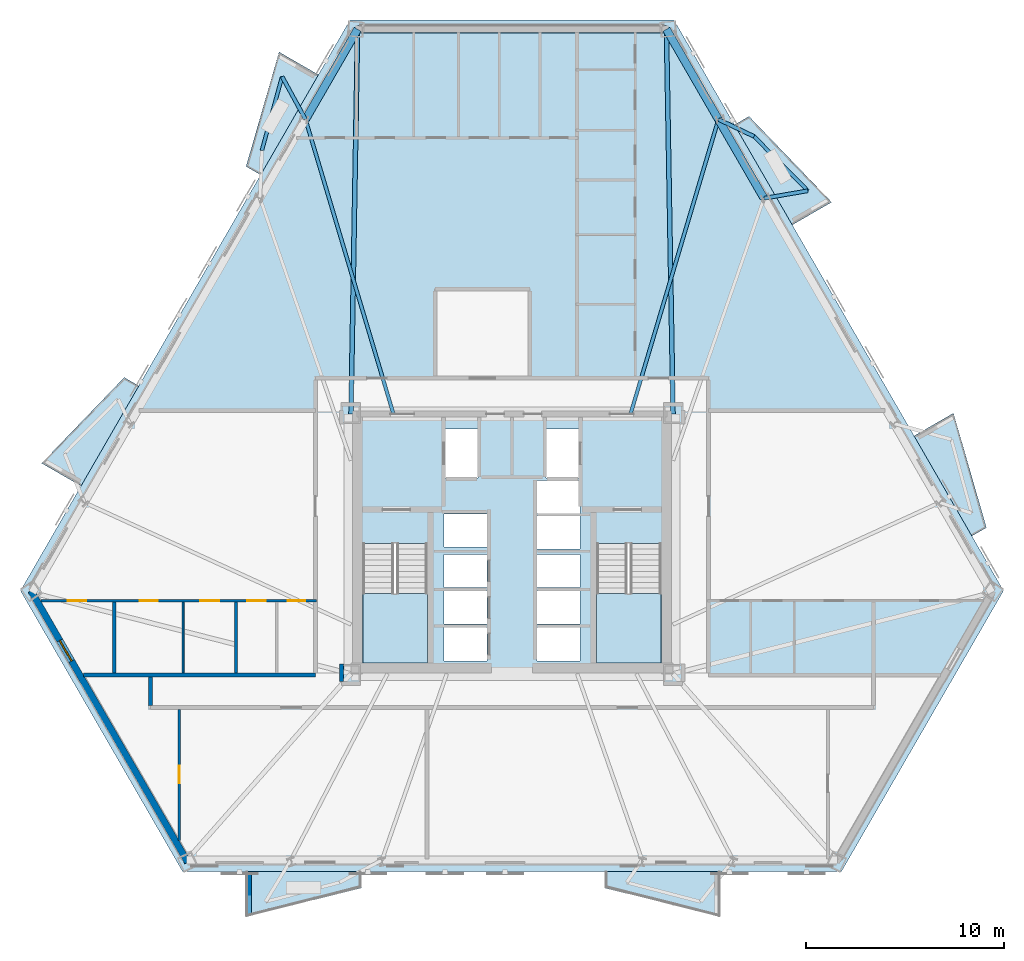
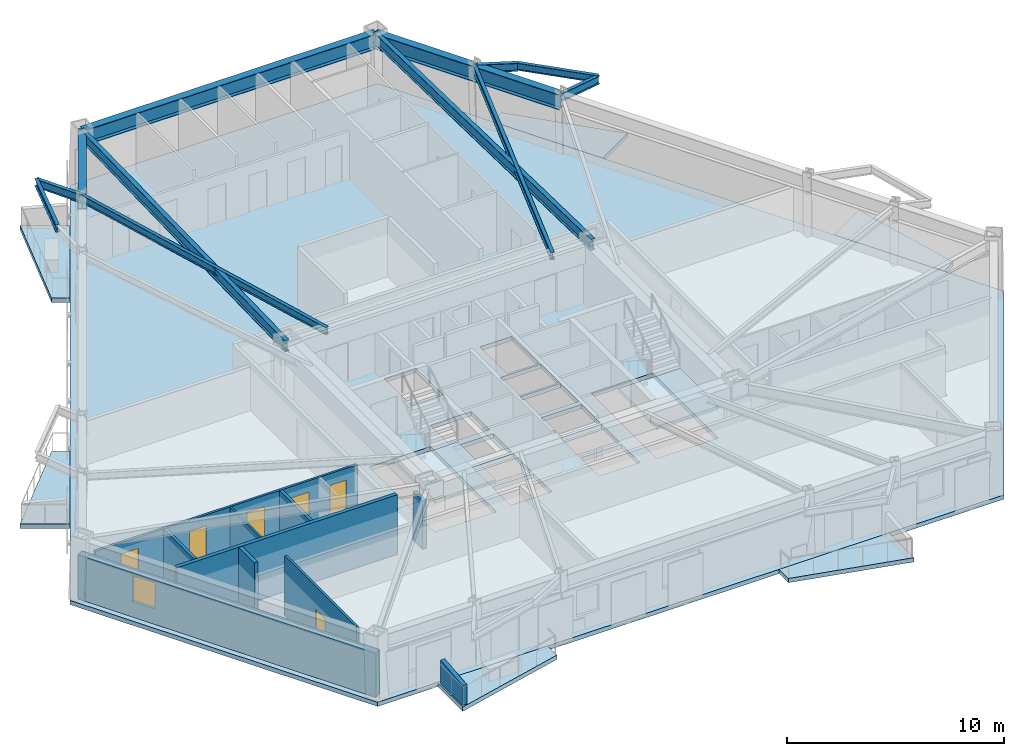
# One storey, part 2 of 12: 13 beams, 10 walls, 9 slabs, 6 doors, 1 window, 7 openings, 2 elements without a shape of their own.
"""IFC4 building model written with IfcOpenShell, lengths in metres."""

import ifcopenshell
import ifcopenshell.guid

model = None  # the IFC model being written
_history = None  # IfcOwnerHistory: only IFC2X3 demands one
_inside = {}  # id of a spatial element -> (the spatial element, [elements in it])
_under = {}  # id of a project, library or spatial element -> (it, [spatial elements below it])
_declared = {}  # id of a project -> (the project, [libraries it declares])
_typed = {}  # id of a type object -> (the type object, [elements of that type])
_made_of = {}  # id of a material, layer set ... -> (it, [elements and type objects made of it])


def new_model(schema):
    """Start an empty IFC model of exactly this schema.

    Asked for "IFC4X3", IfcOpenShell would pick the latest addendum, in which some entities
    have other attributes; the version numbers below select the first issue.
    IFC2X3 requires an IfcOwnerHistory on every rooted entity: one is made here for all.
    """
    global model, _history
    if schema == "IFC4X3":
        model = ifcopenshell.file(schema_version=(4, 3, 0, 0))
    else:
        model = ifcopenshell.file(schema=schema)
    _inside.clear()
    _under.clear()
    _declared.clear()
    _typed.clear()
    _made_of.clear()
    _history = None
    if model.schema == "IFC2X3":
        org = make("IfcOrganization", Name="unknown")
        user = make(
            "IfcPersonAndOrganization",
            ThePerson=make("IfcPerson", FamilyName="unknown"),
            TheOrganization=org,
        )
        app = make(
            "IfcApplication",
            ApplicationDeveloper=org,
            Version="unknown",
            ApplicationFullName="unknown",
            ApplicationIdentifier="unknown",
        )
        _history = make(
            "IfcOwnerHistory",
            OwningUser=user,
            OwningApplication=app,
            ChangeAction="ADDED",
            CreationDate=0,
        )
    return model


def make(cls, **values):
    """One entity of the class cls with the attributes given. An attribute that is None is left unset."""
    return model.create_entity(
        cls, **{name: value for name, value in values.items() if value is not None}
    )


def rooted(cls, **values):
    """An entity with a GlobalId (a new one), such as an element, a storey or a relation."""
    return make(cls, GlobalId=ifcopenshell.guid.new(), OwnerHistory=_history, **values)


def si_unit(unit_type, name, prefix=None):
    """IfcSIUnit, for example si_unit("LENGTHUNIT", "METRE", prefix="MILLI")."""
    return make("IfcSIUnit", UnitType=unit_type, Prefix=prefix, Name=name)


def assignment(units):
    """IfcUnitAssignment: the units of a project."""
    return None if units is None else make("IfcUnitAssignment", Units=units)


def point(xyz):
    """IfcCartesianPoint."""
    return None if xyz is None else make("IfcCartesianPoint", Coordinates=xyz)


def direction(xyz):
    """IfcDirection."""
    return None if xyz is None else make("IfcDirection", DirectionRatios=xyz)


def frame(location, z_axis=None, x_axis=None):
    """IfcAxis2Placement3D, a coordinate frame: its origin and axes. An axis left out is left unset."""
    return make(
        "IfcAxis2Placement3D",
        Location=point(location),
        Axis=direction(z_axis),
        RefDirection=direction(x_axis),
    )


def frame_2d(location, x_axis=None):
    """IfcAxis2Placement2D, a coordinate frame in the plane: its origin and x axis."""
    return make(
        "IfcAxis2Placement2D", Location=point(location), RefDirection=direction(x_axis)
    )


def origin():
    """The frame at (0, 0, 0) with its axes left unset."""
    return frame((0.0, 0.0, 0.0))


def origin_2d():
    """The frame at (0, 0) in the plane with its x axis left unset."""
    return frame_2d((0.0, 0.0))


def place(relative_to, where):
    """IfcLocalPlacement: puts the frame where relative to a parent placement (None: the world)."""
    return make(
        "IfcLocalPlacement", PlacementRelTo=relative_to, RelativePlacement=where
    )


def context(
    kind, dimensions, precision=None, world=None, true_north=None, identifier=None
):
    """IfcGeometricRepresentationContext, for example the 3D "Model" context."""
    return make(
        "IfcGeometricRepresentationContext",
        ContextIdentifier=identifier,
        ContextType=kind,
        CoordinateSpaceDimension=dimensions,
        Precision=precision,
        WorldCoordinateSystem=world,
        TrueNorth=true_north,
    )


def subcontext(parent, identifier, kind, view, scale=None):
    """IfcGeometricRepresentationSubContext, for example "Body" below "Model"."""
    return make(
        "IfcGeometricRepresentationSubContext",
        ContextIdentifier=identifier,
        ContextType=kind,
        ParentContext=parent,
        TargetScale=scale,
        TargetView=view,
    )


def project(units=None, contexts=None):
    """IfcProject with its units and contexts."""
    return rooted(
        "IfcProject",
        Name="project",
        RepresentationContexts=contexts,
        UnitsInContext=assignment(units),
    )


def spatial(cls, under=None, at=None, **own):
    """A site, building, storey or space (cls), placed at a placement, below another one or the project."""
    s = rooted(cls, ObjectPlacement=at, **own)
    if under is not None:
        _under.setdefault(under.id(), (under, []))[1].append(s)
    return s


def polyline(points):
    """IfcPolyline through the points."""
    return make("IfcPolyline", Points=[point(p) for p in points])


def profile(cls, at=None, kind="AREA", **sizes):
    """A parametric profile (cls). Its sizes go by their IFC names, for example OverallWidth=200.0."""
    return make(cls, ProfileType=kind, Position=at, **sizes)


def rectangle(**sizes):
    """IfcRectangleProfileDef."""
    return profile("IfcRectangleProfileDef", **sizes)


def i_section(**sizes):
    """IfcIShapeProfileDef."""
    return profile("IfcIShapeProfileDef", **sizes)


def outline(outer, holes=None, kind="AREA"):
    """IfcArbitraryClosedProfileDef: a profile drawn as a closed curve; with holes, ...WithVoids."""
    if holes is None:
        return make("IfcArbitraryClosedProfileDef", ProfileType=kind, OuterCurve=outer)
    return make(
        "IfcArbitraryProfileDefWithVoids",
        ProfileType=kind,
        OuterCurve=outer,
        InnerCurves=holes,
    )


def extrude(swept, where, along, depth):
    """IfcExtrudedAreaSolid: the profile swept, set in the frame where, extruded along a direction by depth."""
    return make(
        "IfcExtrudedAreaSolid",
        SweptArea=swept,
        Position=where,
        ExtrudedDirection=direction(along),
        Depth=depth,
    )


def shape(context_of_items, identifier, shape_type, items):
    """IfcShapeRepresentation: the items that make up one representation, for example the "Body"."""
    return make(
        "IfcShapeRepresentation",
        ContextOfItems=context_of_items,
        RepresentationIdentifier=identifier,
        RepresentationType=shape_type,
        Items=items,
    )


def material(Name=None, Category=None):
    """IfcMaterial."""
    return make("IfcMaterial", Name=Name, Category=Category)


def layer(
    of_material, thickness, ventilated=None, Name=None, Category=None, Priority=None
):
    """IfcMaterialLayer: one layer of a wall or slab, of a material (None: an air gap)."""
    return make(
        "IfcMaterialLayer",
        Material=of_material,
        LayerThickness=thickness,
        IsVentilated=ventilated,
        Name=Name,
        Category=Category,
        Priority=Priority,
    )


def layer_set(layers, Name=None):
    """IfcMaterialLayerSet."""
    return make("IfcMaterialLayerSet", MaterialLayers=layers, LayerSetName=Name)


def material_profile(
    of_material, cross_section, Name=None, Category=None, Priority=None
):
    """IfcMaterialProfile: a cross section and its material."""
    return make(
        "IfcMaterialProfile",
        Name=Name,
        Material=of_material,
        Profile=cross_section,
        Priority=Priority,
        Category=Category,
    )


def profile_set(profiles, Name=None, composite=None):
    """IfcMaterialProfileSet."""
    return make(
        "IfcMaterialProfileSet",
        Name=Name,
        MaterialProfiles=profiles,
        CompositeProfile=composite,
    )


def made_of(thing, what):
    """Note that an element or type object is made of a material, layer set ...; save() writes the relation."""
    if what is not None:
        _made_of.setdefault(what.id(), (what, []))[1].append(thing)
    return thing


def type_object(cls, material=None, **own):
    """A type object (cls), such as IfcWallType, which elements share."""
    return made_of(rooted(cls, **own), material)


def element(
    cls,
    number,
    at=None,
    inside=None,
    cuts=None,
    type_object=None,
    material=None,
    context=None,
    identifier="Body",
    shape_type=None,
    held_by="IfcProductDefinitionShape",
    body=None,
    shapes=None,
    **own,
):
    """One element of the class cls, such as IfcWall. Its Tag is "e" and its number.

    at: its placement. inside: the storey or other place that contains it. cuts: it is an
    opening in that element (IfcRelVoidsElement). A single representation is given by context,
    identifier, shape_type and body (its items); several are given by shapes. held_by: the class
    of the entity that holds the representations. save() writes the other relations.
    """
    e = rooted(cls, Tag="e%d" % number, ObjectPlacement=at, **own)
    if body is not None:
        shapes = [shape(context, identifier, shape_type, body)]
    if shapes is not None:
        e.Representation = make(held_by, Representations=shapes)
    if inside is not None:
        _inside.setdefault(inside.id(), (inside, []))[1].append(e)
    if cuts is not None:
        rooted(
            "IfcRelVoidsElement", RelatingBuildingElement=cuts, RelatedOpeningElement=e
        )
    if type_object is not None:
        _typed.setdefault(type_object.id(), (type_object, []))[1].append(e)
    return made_of(e, material)


def fill(opening, filler):
    """IfcRelFillsElement: the door or window that sits in an opening."""
    return rooted(
        "IfcRelFillsElement",
        RelatingOpeningElement=opening,
        RelatedBuildingElement=filler,
    )


def aggregate(whole, parts):
    """IfcRelAggregates: a whole, such as a stair, and the parts it consists of."""
    return rooted("IfcRelAggregates", RelatingObject=whole, RelatedObjects=parts)


def save(model, path):
    """Write the relations noted so far, then the file.

    IfcRelAggregates (storeys below a building ...), IfcRelContainedInSpatialStructure (elements
    in a storey), IfcRelDefinesByType, IfcRelAssociatesMaterial and IfcRelDeclares: one each for
    every whole, place, type object, material and project.
    """
    for whole, parts in _under.values():
        aggregate(whole, parts)
    for where, things in _inside.values():
        rooted(
            "IfcRelContainedInSpatialStructure",
            RelatedElements=things,
            RelatingStructure=where,
        )
    for kind, things in _typed.values():
        rooted("IfcRelDefinesByType", RelatedObjects=things, RelatingType=kind)
    for what, things in _made_of.values():
        rooted("IfcRelAssociatesMaterial", RelatedObjects=things, RelatingMaterial=what)
    for by, libraries in _declared.values():
        rooted("IfcRelDeclares", RelatingContext=by, RelatedDefinitions=libraries)
    model.write(path)


model = new_model("IFC4")

# Units and contexts
model_context = context("Model", 3, precision=1e-05, world=origin(), true_north=direction((0.0, 1.0)))
body_context = subcontext(model_context, "Body", "Model", "MODEL_VIEW")
ifc_project = project(units=[si_unit("LENGTHUNIT", "METRE"), si_unit("AREAUNIT", "SQUARE_METRE"), si_unit("VOLUMEUNIT", "CUBIC_METRE"), si_unit("PLANEANGLEUNIT", "RADIAN"), si_unit("MASSUNIT", "GRAM", prefix="KILO")], contexts=[model_context])

# Site, building, storey
site_placement = place(None, origin())
site = spatial("IfcSite", under=ifc_project, at=site_placement, CompositionType="ELEMENT")
building_placement = place(site_placement, origin())
building = spatial("IfcBuilding", under=site, at=building_placement, Name="Oramaril Tower", CompositionType="ELEMENT")
storey_placement = place(building_placement, frame((0.0, 0.0, 30.89990234375)))
storey = spatial("IfcBuildingStorey", under=building, at=storey_placement, Name="L07", CompositionType="ELEMENT", Elevation=30.89990234375)

# Beams
ifc_material_1 = material(Name="Steel ASTM A572 Gr 50", Category="steel")
ifc_material_profile_1 = material_profile(ifc_material_1, i_section(OverallWidth=0.19091796875, OverallDepth=0.45703125, WebThickness=0.009033203125, FlangeThickness=0.014404296875, at=origin_2d()), Name="W18X50")
ifc_profile_set_1 = profile_set([ifc_material_profile_1], Name="Steel ASTM A572 Gr 50")
beam_type_1 = type_object("IfcBeamType", Name="BT-BB1", PredefinedType="BEAM", material=ifc_profile_set_1)
beam_1_placement = place(storey_placement, frame((50.2548828125, 35.0673828125, 3.131591796875), z_axis=(0.98566512654, 0.168713539239, 0.0), x_axis=(-0.168713539239, 0.98566512654, 0.0)))
element("IfcBeam", 1, at=beam_1_placement, inside=storey, type_object=beam_type_1, Name="L07 Balcony Column-Framed Cantilever 04.1", PredefinedType="BEAM", context=body_context, shape_type="SweptSolid", body=[
    extrude(i_section(OverallWidth=0.19091796875, OverallDepth=0.45703125, WebThickness=0.009033203125, FlangeThickness=0.014404296875, at=origin_2d()), origin(), (0.0, 0.0, 1.0), 2.247314453125),
])
beam_2_placement = place(storey_placement, frame((47.9501953125, 39.05908203125, 3.131591796875), z_axis=(0.902196369711, -0.431325527276, 0.0), x_axis=(0.431325527276, 0.902196369711, 0.0)))
element("IfcBeam", 2, at=beam_2_placement, inside=storey, type_object=beam_type_1, Name="L07 Balcony Column-Framed Cantilever 04.2", PredefinedType="BEAM", context=body_context, shape_type="SweptSolid", body=[
    extrude(i_section(OverallWidth=0.19091796875, OverallDepth=0.45703125, WebThickness=0.009033203125, FlangeThickness=0.014404296875, at=origin_2d()), origin(), (0.0, 0.0, 1.0), 1.994140625),
])
beam_3_placement = place(storey_placement, frame((27.0498046875, 39.05908203125, 3.131591796875), z_axis=(-0.480550293921, 0.87696716872, 0.0), x_axis=(-0.87696716872, -0.480550293921, 0.0)))
element("IfcBeam", 3, at=beam_3_placement, inside=storey, type_object=beam_type_1, Name="L07 Balcony Column-Framed Cantilever 05.1", PredefinedType="BEAM", context=body_context, shape_type="SweptSolid", body=[
    extrude(i_section(OverallWidth=0.19091796875, OverallDepth=0.45703125, WebThickness=0.009033203125, FlangeThickness=0.014404296875, at=origin_2d()), origin(), (0.0, 0.0, 1.0), 2.466552734375),
])
ifc_material_2 = material(Name="Steel ASTM A572 Gr 50", Category="steel")
ifc_material_profile_2 = material_profile(ifc_material_2, i_section(OverallWidth=0.22900390625, OverallDepth=0.612060546875, WebThickness=0.011962890625, FlangeThickness=0.01953125, at=origin_2d()), Name="W24X84")
ifc_profile_set_2 = profile_set([ifc_material_profile_2], Name="Steel ASTM A572 Gr 50")
beam_type_2 = type_object("IfcBeamType", Name="BT-FB1", PredefinedType="BEAM", material=ifc_profile_set_2)
for number, where, z_axis, x_axis, name in (
    (4, (45.64990234375, 24.14990234375, 3.05419921875), (-0.01713747409, 0.999853142707, 0.0), (-0.999853142707, -0.01713747409, 0.0), "L07 Radial Primary Beam RB-05"),
    (5, (29.35009765625, 24.14990234375, 3.05419921875), (0.01713747409, 0.999853142707, 0.0), (-0.999853142707, 0.01713747409, 0.0), "L07 Radial Primary Beam RB-06"),
):
    element("IfcBeam", number, at=place(storey_placement, frame(where, z_axis=z_axis, x_axis=x_axis)), inside=storey, type_object=beam_type_2, Name=name, PredefinedType="BEAM", context=body_context, shape_type="SweptSolid", body=[
        extrude(i_section(OverallWidth=0.22900390625, OverallDepth=0.612060546875, WebThickness=0.011962890625, FlangeThickness=0.01953125, at=origin_2d()), origin(), (0.0, 0.0, 1.0), 19.474365234375),
    ])
ifc_material_3 = material(Name="Steel ASTM A572 Gr 50", Category="steel")
ifc_material_profile_3 = material_profile(ifc_material_3, i_section(OverallWidth=0.177978515625, OverallDepth=0.404052734375, WebThickness=0.007568359375, FlangeThickness=0.010986328125, at=origin_2d()), Name="W16X36")
ifc_profile_set_3 = profile_set([ifc_material_profile_3], Name="Steel ASTM A572 Gr 50")
beam_type_3 = type_object("IfcBeamType", Name="BT-SB1", PredefinedType="BEAM", material=ifc_profile_set_3)
for number, where, z_axis, x_axis, name in (
    (6, (43.5, 24.14990234375, 3.158203125), (0.286017463433, 0.958224405143, 0.0), (-0.958224405143, 0.286017463433, 0.0), "L07 Secondary Floor Beam SB-07"),
    (7, (31.5, 24.14990234375, 3.158203125), (-0.286017463433, 0.958224405143, 0.0), (-0.958224405143, -0.286017463433, 0.0), "L07 Secondary Floor Beam SB-08"),
):
    element("IfcBeam", number, at=place(storey_placement, frame(where, z_axis=z_axis, x_axis=x_axis)), inside=storey, type_object=beam_type_3, Name=name, PredefinedType="BEAM", context=body_context, shape_type="SweptSolid", body=[
        extrude(i_section(OverallWidth=0.177978515625, OverallDepth=0.404052734375, WebThickness=0.007568359375, FlangeThickness=0.010986328125, at=origin_2d()), origin(), (0.0, 0.0, 1.0), 15.55908203125),
    ])
for number, where, z_axis, x_axis, name in (
    (8, (52.469970703125, 35.446533203125, 3.158203125), (-0.702994511648, 0.71119527318, 0.0), (-0.71119527318, -0.702994511648, 0.0), "L07 Balcony Edge Tie Beam 04"),
    (9, (25.864501953125, 41.22216796875, 3.158203125), (-0.264382243015, -0.964417974521, 0.0), (0.964417974521, -0.264382243015, 0.0), "L07 Balcony Edge Tie Beam 05"),
):
    element("IfcBeam", number, at=place(storey_placement, frame(where, z_axis=z_axis, x_axis=x_axis)), inside=storey, type_object=beam_type_3, Name=name, PredefinedType="BEAM", context=body_context, shape_type="SweptSolid", body=[
        extrude(i_section(OverallWidth=0.177978515625, OverallDepth=0.404052734375, WebThickness=0.007568359375, FlangeThickness=0.010986328125, at=origin_2d()), origin(), (0.0, 0.0, 1.0), 3.8701171875),
    ])
ifc_material_4 = material(Name="Steel ASTM A572 Gr 50", Category="steel")
ifc_material_profile_4 = material_profile(ifc_material_4, i_section(OverallWidth=0.40087890625, OverallDepth=0.85595703125, WebThickness=0.018310546875, FlangeThickness=0.029296875, at=origin_2d()), Name="W33X201")
ifc_profile_set_4 = profile_set([ifc_material_profile_4], Name="Steel ASTM A572 Gr 50")
beam_type_4 = type_object("IfcBeamType", Name="BT-SP1", PredefinedType="SPANDREL", material=ifc_profile_set_4)
beam_4_placement = place(storey_placement, frame((50.2548828125, 35.0673828125, 2.93212890625), z_axis=(-0.500012835235, 0.866017993231, 0.0), x_axis=(-0.866017993231, -0.500012835235, 0.0)))
element("IfcBeam", 10, at=beam_4_placement, inside=storey, type_object=beam_type_4, Name="L07 Perimeter Spandrel 11", PredefinedType="SPANDREL", context=body_context, shape_type="SweptSolid", body=[
    extrude(i_section(OverallWidth=0.40087890625, OverallDepth=0.85595703125, WebThickness=0.018310546875, FlangeThickness=0.029296875, at=origin_2d()), origin(), (0.0, 0.0, 1.0), 4.609375),
])
beam_5_placement = place(storey_placement, frame((47.9501953125, 39.05908203125, 2.93212890625), z_axis=(-0.500001929737, 0.866024289647, 0.0), x_axis=(-0.866024289647, -0.500001929737, 0.0)))
element("IfcBeam", 11, at=beam_5_placement, inside=storey, type_object=beam_type_4, Name="L07 Perimeter Spandrel 12", PredefinedType="SPANDREL", context=body_context, shape_type="SweptSolid", body=[
    extrude(i_section(OverallWidth=0.40087890625, OverallDepth=0.85595703125, WebThickness=0.018310546875, FlangeThickness=0.029296875, at=origin_2d()), origin(), (0.0, 0.0, 1.0), 5.26806640625),
])
beam_6_placement = place(storey_placement, frame((45.316162109375, 43.621337890625, 2.93212890625), z_axis=(-1.0, 0.0, 0.0), x_axis=(0.0, -1.0, 0.0)))
element("IfcBeam", 12, at=beam_6_placement, inside=storey, type_object=beam_type_4, Name="L07 Perimeter Spandrel 13", PredefinedType="SPANDREL", context=body_context, shape_type="SweptSolid", body=[
    extrude(i_section(OverallWidth=0.40087890625, OverallDepth=0.85595703125, WebThickness=0.018310546875, FlangeThickness=0.029296875, at=origin_2d()), origin(), (0.0, 0.0, 1.0), 15.63232421875),
])
beam_7_placement = place(storey_placement, frame((29.683837890625, 43.621337890625, 2.93212890625), z_axis=(-0.500001929737, -0.866024289647, 0.0), x_axis=(0.866024289647, -0.500001929737, 0.0)))
element("IfcBeam", 13, at=beam_7_placement, inside=storey, type_object=beam_type_4, Name="L07 Perimeter Spandrel 14", PredefinedType="SPANDREL", context=body_context, shape_type="SweptSolid", body=[
    extrude(i_section(OverallWidth=0.40087890625, OverallDepth=0.85595703125, WebThickness=0.018310546875, FlangeThickness=0.029296875, at=origin_2d()), origin(), (0.0, 0.0, 1.0), 5.26806640625),
])

# Slabs
ifc_material_5 = material(Name="Concrete C40/50", Category="concrete")
ifc_layer_1 = layer(ifc_material_5, 0.199951171875)
ifc_layer_set_1 = layer_set([ifc_layer_1], Name="SLT-BAL20")
slab_type_1 = type_object("IfcSlabType", Name="SLT-BAL20", PredefinedType="FLOOR", material=ifc_layer_set_1)
slab_1_placement = place(storey_placement, frame((0.0, 0.0, -0.239990234375)))
element("IfcSlab", 14, at=slab_1_placement, inside=storey, type_object=slab_type_1, Name="L07 Cantilevered Balcony Slab L07-BAL-S2", PredefinedType="FLOOR", context=body_context, shape_type="SweptSolid", body=[
    extrude(outline(polyline([(42.202880859375, 1.0078125), (48.052978515625, 1.0078125), (48.052978515625, -1.294189453125), (42.202880859375, 0.15576171875), (42.202880859375, 1.0078125)])), origin(), (0.0, 0.0, 1.0), 0.239990234375),
])
slab_2_placement = place(storey_placement, frame((0.0, 0.0, -0.239990234375)))
element("IfcSlab", 15, at=slab_2_placement, inside=storey, type_object=slab_type_1, Name="L07 Cantilevered Balcony Slab L07-BAL-NE1", PredefinedType="FLOOR", context=body_context, shape_type="SweptSolid", body=[
    extrude(outline(polyline([(60.7734375, 17.97412109375), (57.848388671875, 23.040283203125), (59.842041015625, 24.191162109375), (61.51123046875, 18.39990234375), (60.7734375, 17.97412109375)])), origin(), (0.0, 0.0, 1.0), 0.239990234375),
])
slab_3_placement = place(storey_placement, frame((0.0, 0.0, -0.239990234375)))
element("IfcSlab", 16, at=slab_3_placement, inside=storey, type_object=slab_type_1, Name="L07 Cantilevered Balcony Slab L07-BAL-NW2", PredefinedType="FLOOR", context=body_context, shape_type="SweptSolid", body=[
    extrude(outline(polyline([(18.614013671875, 25.5732421875), (15.689208984375, 20.507080078125), (13.695556640625, 21.658203125), (17.876220703125, 25.999267578125), (18.614013671875, 25.5732421875)])), origin(), (0.0, 0.0, 1.0), 0.239990234375),
])
ifc_material_6 = material(Name="Concrete C50/60", Category="concrete")
ifc_layer_2 = layer(ifc_material_6, 0.239990234375)
ifc_layer_set_2 = layer_set([ifc_layer_2], Name="SLT-FLR24")
slab_type_2 = type_object("IfcSlabType", Name="SLT-FLR24", PredefinedType="FLOOR", material=ifc_layer_set_2)
slab_4_placement = place(storey_placement, frame((0.0, 0.0, -0.239990234375)))
element("IfcSlab", 17, at=slab_4_placement, inside=storey, type_object=slab_type_2, Name="L07 Structural Floor Slab", PredefinedType="FLOOR", context=body_context, shape_type="SweptSolid", body=[
    extrude(outline(polyline([(12.625, 15.20361328125), (20.822021484375, 1.005615234375), (54.177978515625, 1.005615234375), (62.375, 15.20361328125), (45.697265625, 44.090576171875), (29.302734375, 44.090576171875), (12.625, 15.20361328125)]), holes=[polyline([(29.949951171875, 17.58935546875), (29.949951171875, 11.550048828125), (33.219970703125, 11.550048828125), (33.219970703125, 17.58935546875), (29.949951171875, 17.58935546875)]), polyline([(41.780029296875, 17.58935546875), (41.780029296875, 11.550048828125), (45.050048828125, 11.550048828125), (45.050048828125, 17.58935546875), (41.780029296875, 17.58935546875)]), polyline([(34.110107421875, 20.909912109375), (35.7900390625, 20.909912109375), (35.7900390625, 23.389892578125), (34.110107421875, 23.389892578125), (34.110107421875, 20.909912109375)]), polyline([(39.2099609375, 20.909912109375), (40.889892578125, 20.909912109375), (40.889892578125, 23.389892578125), (39.2099609375, 23.389892578125), (39.2099609375, 20.909912109375)]), polyline([(34.06005859375, 11.659912109375), (36.239990234375, 11.659912109375), (36.239990234375, 13.340087890625), (34.06005859375, 13.340087890625), (34.06005859375, 11.659912109375)]), polyline([(34.06005859375, 13.510009765625), (36.239990234375, 13.510009765625), (36.239990234375, 15.18994140625), (34.06005859375, 15.18994140625), (34.06005859375, 13.510009765625)]), polyline([(34.06005859375, 15.360107421875), (36.239990234375, 15.360107421875), (36.239990234375, 17.0400390625), (34.06005859375, 17.0400390625), (34.06005859375, 15.360107421875)]), polyline([(38.760009765625, 11.659912109375), (40.93994140625, 11.659912109375), (40.93994140625, 13.340087890625), (38.760009765625, 13.340087890625), (38.760009765625, 11.659912109375)]), polyline([(38.760009765625, 13.510009765625), (40.93994140625, 13.510009765625), (40.93994140625, 15.18994140625), (38.760009765625, 15.18994140625), (38.760009765625, 13.510009765625)]), polyline([(38.760009765625, 15.360107421875), (40.93994140625, 15.360107421875), (40.93994140625, 17.0400390625), (38.760009765625, 17.0400390625), (38.760009765625, 15.360107421875)]), polyline([(34.06005859375, 17.409912109375), (36.239990234375, 17.409912109375), (36.239990234375, 19.090087890625), (34.06005859375, 19.090087890625), (34.06005859375, 17.409912109375)]), polyline([(38.760009765625, 17.31005859375), (40.93994140625, 17.31005859375), (40.93994140625, 18.989990234375), (38.760009765625, 18.989990234375), (38.760009765625, 17.31005859375)]), polyline([(38.760009765625, 19.110107421875), (40.93994140625, 19.110107421875), (40.93994140625, 20.7900390625), (38.760009765625, 20.7900390625), (38.760009765625, 19.110107421875)])]), origin(), (0.0, 0.0, 1.0), 0.239990234375),
])

# Stair, slab
ifc_material_7 = material(Name="Concrete C50/60", Category="concrete")
stair_type = type_object("IfcStairType", Name="STT-DG-3600", PredefinedType="HALF_TURN_STAIR", material=ifc_material_7)
stair_1_placement = place(storey_placement, origin())
stair_1 = element("IfcStair", 18, at=stair_1_placement, inside=storey, type_object=stair_type, Name="L07 Protected PFP Exit Stair ST-1", PredefinedType="HALF_TURN_STAIR")
ifc_material_8 = material(Name="Concrete C50/60", Category="concrete")
ifc_layer_3 = layer(ifc_material_8, 0.199951171875)
ifc_layer_set_3 = layer_set([ifc_layer_3], Name="SLT-LND20")
slab_type_3 = type_object("IfcSlabType", Name="SLT-LND20", PredefinedType="LANDING", material=ifc_layer_set_3)
slab_5_placement = place(storey_placement, frame((0.0, 0.0, 1.60009765625)))
slab_5 = element("IfcSlab", 19, at=slab_5_placement, type_object=slab_type_3, Name="ST-1 landing 1", PredefinedType="LANDING", context=body_context, shape_type="SweptSolid", body=[
    extrude(outline(polyline([(29.949951171875, 15.070068359375), (29.949951171875, 11.550048828125), (33.219970703125, 11.550048828125), (33.219970703125, 15.070068359375), (29.949951171875, 15.070068359375)])), origin(), (0.0, 0.0, 1.0), 0.199951171875),
])
aggregate(stair_1, [slab_5])

stair_2_placement = place(storey_placement, origin())
stair_2 = element("IfcStair", 20, at=stair_2_placement, inside=storey, type_object=stair_type, Name="L07 Protected PFP Exit Stair ST-2", PredefinedType="HALF_TURN_STAIR")
slab_6_placement = place(storey_placement, frame((0.0, 0.0, 1.60009765625)))
slab_6 = element("IfcSlab", 21, at=slab_6_placement, type_object=slab_type_3, Name="ST-2 landing 1", PredefinedType="LANDING", context=body_context, shape_type="SweptSolid", body=[
    extrude(outline(polyline([(41.780029296875, 15.070068359375), (41.780029296875, 11.550048828125), (45.050048828125, 11.550048828125), (45.050048828125, 15.070068359375), (41.780029296875, 15.070068359375)])), origin(), (0.0, 0.0, 1.0), 0.199951171875),
])
aggregate(stair_2, [slab_6])

# Slabs
ifc_material_9 = material(Name="Concrete C40/50", Category="concrete")
ifc_layer_4 = layer(ifc_material_9, 0.18994140625)
ifc_layer_set_4 = layer_set([ifc_layer_4], Name="SLT-PLN19")
slab_type_4 = type_object("IfcSlabType", Name="SLT-PLN19", PredefinedType="FLOOR", material=ifc_layer_set_4)
slab_7_placement = place(storey_placement, frame((0.0, 0.0, -0.239990234375)))
element("IfcSlab", 22, at=slab_7_placement, inside=storey, type_object=slab_type_4, Name="L07 Tree Planter Balcony Slab L07-BAL-S1", PredefinedType="FLOOR", context=body_context, shape_type="SweptSolid", body=[
    extrude(outline(polyline([(24.022216796875, 1.0078125), (29.8720703125, 1.0078125), (29.8720703125, 0.15576171875), (24.022216796875, -1.294189453125), (24.022216796875, 1.0078125)])), origin(), (0.0, 0.0, 1.0), 0.239990234375),
])
slab_8_placement = place(storey_placement, frame((0.0, 0.0, -0.239990234375)))
element("IfcSlab", 23, at=slab_8_placement, inside=storey, type_object=slab_type_4, Name="L07 Tree Planter Balcony Slab L07-BAL-NE2", PredefinedType="FLOOR", context=body_context, shape_type="SweptSolid", body=[
    extrude(outline(polyline([(51.68310546875, 33.718994140625), (48.758056640625, 38.78515625), (49.495849609375, 39.211181640625), (53.676513671875, 34.8701171875), (51.68310546875, 33.718994140625)])), origin(), (0.0, 0.0, 1.0), 0.239990234375),
])
slab_9_placement = place(storey_placement, frame((0.0, 0.0, -0.239990234375)))
element("IfcSlab", 24, at=slab_9_placement, inside=storey, type_object=slab_type_4, Name="L07 Tree Planter Balcony Slab L07-BAL-NW1", PredefinedType="FLOOR", context=body_context, shape_type="SweptSolid", body=[
    extrude(outline(polyline([(27.70458984375, 41.318359375), (24.779541015625, 36.252197265625), (24.041748046875, 36.677978515625), (25.7109375, 42.46923828125), (27.70458984375, 41.318359375)])), origin(), (0.0, 0.0, 1.0), 0.239990234375),
])

# Wall, opening, window
ifc_material_10 = material(Name="Warm Cream Limestone", Category="masonry")
ifc_layer_5 = layer(ifc_material_10, 0.340087890625)
ifc_layer_set_5 = layer_set([ifc_layer_5], Name="WT-EXT34")
wall_type_1 = type_object("IfcWallType", Name="WT-EXT34", PredefinedType="SOLIDWALL", material=ifc_layer_set_5)
wall_1_placement = place(storey_placement, frame((13.156005859375, 15.20361328125, 0.0), z_axis=(0.0, 0.0, 1.0), x_axis=(0.500005775488, -0.866022069279, 0.0)))
wall_1 = element("IfcWall", 25, at=wall_1_placement, inside=storey, type_object=wall_type_1, Name="L07 Tower Limestone Facade Wall 1M", PredefinedType="SOLIDWALL", context=body_context, shape_type="SweptSolid", body=[
    extrude(rectangle(XDim=15.863037109375, YDim=0.340087890625, at=frame_2d((7.931640625, 0.0))), origin(), (0.0, 0.0, 1.0), 2.494140625),
])
opening_1_placement = place(wall_1_placement, frame((2.908935546875, 0.0, 0.85009765625)))
opening_1 = element("IfcOpeningElement", 26, at=opening_1_placement, cuts=wall_1, Name="Opening WN-09", PredefinedType="OPENING", context=body_context, shape_type="SweptSolid", body=[
    extrude(rectangle(XDim=1.199951171875, YDim=1.47998046875, at=frame_2d((0.60009765625, 0.739990234375))), frame((0.0, 0.169921875, 0.0), z_axis=(0.0, -1.0, 0.0), x_axis=(1.0, 0.0, 0.0)), (0.0, 0.0, 1.0), 0.340087890625),
])
ifc_material_11 = material(Name="Coastal Low-E Insulated Glass", Category="glass")
window_type = type_object("IfcWindowType", Name="WNT-09", PartitioningType="SINGLE_PANEL", PredefinedType="WINDOW", material=ifc_material_11)
window_placement = place(opening_1_placement, origin())
window = element("IfcWindow", 27, at=window_placement, inside=storey, type_object=window_type, Name="L07 Apartment Bedroom Window WN-09", OverallHeight=1.47998046875, OverallWidth=1.199951171875, PartitioningType="SINGLE_PANEL", PredefinedType="WINDOW", context=body_context, shape_type="SweptSolid", body=[
    extrude(rectangle(XDim=1.199951171875, YDim=1.47998046875, at=frame_2d((0.60009765625, 0.739990234375))), frame((0.0, 0.030029296875, 0.0), z_axis=(0.0, -1.0, 0.0), x_axis=(1.0, 0.0, 0.0)), (0.0, 0.0, 1.0), 0.06005859375),
])
fill(opening_1, window)

# Walls
ifc_material_12 = material(Name="Concrete C40/50", Category="concrete")
ifc_layer_6 = layer(ifc_material_12, 0.22998046875)
ifc_layer_set_6 = layer_set([ifc_layer_6], Name="WT-PRP23")
wall_type_2 = type_object("IfcWallType", Name="WT-PRP23", PredefinedType="PARAPET", material=ifc_layer_set_6)
wall_2_placement = place(storey_placement, frame((24.2021484375, 0.86767578125, 0.0), z_axis=(0.0, 0.0, 1.0), x_axis=(0.0, -1.0, 0.0)))
element("IfcWall", 28, at=wall_2_placement, inside=storey, type_object=wall_type_2, Name="L07 Trapezoidal Balcony Frame Cheek L07-BAL-S1-L", PredefinedType="PARAPET", context=body_context, shape_type="SweptSolid", body=[
    extrude(outline(polyline([(0.0, 0.0), (2.0419921875, 0.0), (2.0419921875, 1.10009765625), (0.0, 1.320068359375), (0.0, 0.0)])), frame((0.0, 0.114990234375, 0.0), z_axis=(0.0, -1.0, 0.0), x_axis=(1.0, 0.0, 0.0)), (0.0, 0.0, 1.0), 0.22998046875),
])
ifc_material_13 = material(Name="Acoustic Gypsum Board Partition")
ifc_layer_7 = layer(ifc_material_13, 0.10009765625)
ifc_layer_set_7 = layer_set([ifc_layer_7], Name="WT-PT10")
wall_type_3 = type_object("IfcWallType", Name="WT-PT10", PredefinedType="PARTITIONING", material=ifc_layer_set_7)
wall_3_placement = place(storey_placement, frame((20.860107421875, 11.053955078125, 0.0), z_axis=(0.0, 0.0, 1.0), x_axis=(0.0, 1.0, 0.0)))
element("IfcWall", 29, at=wall_3_placement, inside=storey, type_object=wall_type_3, Name="L07 Interior Partition PT-10", PredefinedType="PARTITIONING", context=body_context, shape_type="SweptSolid", body=[
    extrude(rectangle(XDim=3.572021484375, YDim=0.10009765625, at=frame_2d((1.7861328125, 0.0))), origin(), (0.0, 0.0, 1.0), 2.738037109375),
])

# Wall, openings, doors
ifc_material_14 = material(Name="Acoustic Gypsum Board Partition")
ifc_layer_8 = layer(ifc_material_14, 0.1201171875)
ifc_layer_set_8 = layer_set([ifc_layer_8], Name="WT-PT12")
wall_type_4 = type_object("IfcWallType", Name="WT-PT12", PredefinedType="PARTITIONING", material=ifc_layer_set_8)
wall_4_placement = place(storey_placement, frame((13.653564453125, 14.68994140625, 0.0), z_axis=(0.0, 0.0, 1.0), x_axis=(1.0, 0.0, 0.0)))
wall_4 = element("IfcWall", 30, at=wall_4_placement, inside=storey, type_object=wall_type_4, Name="L07 Interior Partition PT-12", PredefinedType="PARTITIONING", context=body_context, shape_type="SweptSolid", body=[
    extrude(rectangle(XDim=13.946533203125, YDim=0.1201171875, at=frame_2d((6.97314453125, 0.0))), origin(), (0.0, 0.0, 1.0), 2.738037109375),
])
opening_2_placement = place(wall_4_placement, frame((1.3701171875, 0.0, 0.0)))
opening_2 = element("IfcOpeningElement", 31, at=opening_2_placement, cuts=wall_4, Name="Opening D-L07-03", PredefinedType="OPENING", context=body_context, shape_type="SweptSolid", body=[
    extrude(rectangle(XDim=0.919921875, YDim=2.1201171875, at=frame_2d((0.4599609375, 1.06005859375))), frame((0.0, 0.06005859375, 0.0), z_axis=(0.0, -1.0, 0.0), x_axis=(1.0, 0.0, 0.0)), (0.0, 0.0, 1.0), 0.1201171875),
])
opening_3_placement = place(wall_4_placement, frame((5.000732421875, 0.0, 0.0)))
opening_3 = element("IfcOpeningElement", 32, at=opening_3_placement, cuts=wall_4, Name="Opening D-L07-04", PredefinedType="OPENING", context=body_context, shape_type="SweptSolid", body=[
    extrude(rectangle(XDim=0.919921875, YDim=2.1201171875, at=frame_2d((0.4599609375, 1.06005859375))), frame((0.0, 0.06005859375, 0.0), z_axis=(0.0, -1.0, 0.0), x_axis=(1.0, 0.0, 0.0)), (0.0, 0.0, 1.0), 0.1201171875),
])
opening_4_placement = place(wall_4_placement, frame((8.069091796875, 0.0, 0.0)))
opening_4 = element("IfcOpeningElement", 33, at=opening_4_placement, cuts=wall_4, Name="Opening D-L07-05", PredefinedType="OPENING", context=body_context, shape_type="SweptSolid", body=[
    extrude(rectangle(XDim=0.949951171875, YDim=2.10009765625, at=frame_2d((0.47509765625, 1.050048828125))), frame((0.0, 0.06005859375, 0.0), z_axis=(0.0, -1.0, 0.0), x_axis=(1.0, 0.0, 0.0)), (0.0, 0.0, 1.0), 0.1201171875),
])
opening_5_placement = place(wall_4_placement, frame((10.43701171875, 0.0, 0.0)))
opening_5 = element("IfcOpeningElement", 34, at=opening_5_placement, cuts=wall_4, Name="Opening D-L07-06", PredefinedType="OPENING", context=body_context, shape_type="SweptSolid", body=[
    extrude(rectangle(XDim=0.949951171875, YDim=2.10009765625, at=frame_2d((0.47509765625, 1.050048828125))), frame((0.0, 0.06005859375, 0.0), z_axis=(0.0, -1.0, 0.0), x_axis=(1.0, 0.0, 0.0)), (0.0, 0.0, 1.0), 0.1201171875),
])
opening_6_placement = place(wall_4_placement, frame((12.49169921875, 0.0, 0.0)))
opening_6 = element("IfcOpeningElement", 35, at=opening_6_placement, cuts=wall_4, Name="Opening D-L07-07", PredefinedType="OPENING", context=body_context, shape_type="SweptSolid", body=[
    extrude(rectangle(XDim=0.8798828125, YDim=2.080078125, at=frame_2d((0.43994140625, 1.0400390625))), frame((0.0, 0.06005859375, 0.0), z_axis=(0.0, -1.0, 0.0), x_axis=(1.0, 0.0, 0.0)), (0.0, 0.0, 1.0), 0.1201171875),
])
ifc_material_15 = material(Name="FSC Brazilian Freijo Hardwood", Category="wood")
door_type_1 = type_object("IfcDoorType", Name="DT-BATH", OperationType="NOTDEFINED", PredefinedType="DOOR", material=ifc_material_15)
door_1_placement = place(opening_6_placement, origin())
door_1 = element("IfcDoor", 36, at=door_1_placement, inside=storey, type_object=door_type_1, Name="L07 Flat L07-U3 Bathroom Door D-L07-07", OperationType="SINGLE_SWING_LEFT", OverallHeight=2.080078125, OverallWidth=0.8798828125, PredefinedType="DOOR", context=body_context, shape_type="SweptSolid", body=[
    extrude(rectangle(XDim=0.8798828125, YDim=2.080078125, at=frame_2d((0.43994140625, 1.0400390625))), frame((0.0, 0.02490234375, 0.0), z_axis=(0.0, -1.0, 0.0), x_axis=(1.0, 0.0, 0.0)), (0.0, 0.0, 1.0), 0.050048828125),
])
fill(opening_6, door_1)
ifc_material_16 = material(Name="FSC Brazilian Freijo Hardwood", Category="wood")
door_type_2 = type_object("IfcDoorType", Name="DT-BED", OperationType="NOTDEFINED", PredefinedType="DOOR", material=ifc_material_16)
door_2_placement = place(opening_2_placement, origin())
door_2 = element("IfcDoor", 37, at=door_2_placement, inside=storey, type_object=door_type_2, Name="L07 Flat L07-U3 Master Bedroom Door D-L07-03", OperationType="SINGLE_SWING_LEFT", OverallHeight=2.1201171875, OverallWidth=0.919921875, PredefinedType="DOOR", context=body_context, shape_type="SweptSolid", body=[
    extrude(rectangle(XDim=0.919921875, YDim=2.1201171875, at=frame_2d((0.4599609375, 1.06005859375))), frame((0.0, 0.02490234375, 0.0), z_axis=(0.0, -1.0, 0.0), x_axis=(1.0, 0.0, 0.0)), (0.0, 0.0, 1.0), 0.050048828125),
])
fill(opening_2, door_2)
door_3_placement = place(opening_3_placement, origin())
door_3 = element("IfcDoor", 38, at=door_3_placement, inside=storey, type_object=door_type_2, Name="L07 Flat L07-U3 Bedroom 2 Door D-L07-04", OperationType="SINGLE_SWING_RIGHT", OverallHeight=2.1201171875, OverallWidth=0.919921875, PredefinedType="DOOR", context=body_context, shape_type="SweptSolid", body=[
    extrude(rectangle(XDim=0.919921875, YDim=2.1201171875, at=frame_2d((0.4599609375, 1.06005859375))), frame((0.0, 0.02490234375, 0.0), z_axis=(0.0, -1.0, 0.0), x_axis=(1.0, 0.0, 0.0)), (0.0, 0.0, 1.0), 0.050048828125),
])
fill(opening_3, door_3)
ifc_material_17 = material(Name="FSC Brazilian Freijo Hardwood", Category="wood")
door_type_3 = type_object("IfcDoorType", Name="DT-STDY", OperationType="NOTDEFINED", PredefinedType="DOOR", material=ifc_material_17)
door_4_placement = place(opening_4_placement, origin())
door_4 = element("IfcDoor", 39, at=door_4_placement, inside=storey, type_object=door_type_3, Name="L07 Flat L07-U3 Breakfast Dining Room Door D-L07-05", OperationType="SINGLE_SWING_LEFT", OverallHeight=2.10009765625, OverallWidth=0.949951171875, PredefinedType="DOOR", context=body_context, shape_type="SweptSolid", body=[
    extrude(rectangle(XDim=0.949951171875, YDim=2.10009765625, at=frame_2d((0.47509765625, 1.050048828125))), frame((0.0, 0.02490234375, 0.0), z_axis=(0.0, -1.0, 0.0), x_axis=(1.0, 0.0, 0.0)), (0.0, 0.0, 1.0), 0.050048828125),
])
fill(opening_4, door_4)
door_5_placement = place(opening_5_placement, origin())
door_5 = element("IfcDoor", 40, at=door_5_placement, inside=storey, type_object=door_type_3, Name="L07 Flat L07-U3 Kitchen Door D-L07-06", OperationType="SINGLE_SWING_RIGHT", OverallHeight=2.10009765625, OverallWidth=0.949951171875, PredefinedType="DOOR", context=body_context, shape_type="SweptSolid", body=[
    extrude(rectangle(XDim=0.949951171875, YDim=2.10009765625, at=frame_2d((0.47509765625, 1.050048828125))), frame((0.0, 0.02490234375, 0.0), z_axis=(0.0, -1.0, 0.0), x_axis=(1.0, 0.0, 0.0)), (0.0, 0.0, 1.0), 0.050048828125),
])
fill(opening_5, door_5)

# Wall, opening, door
wall_5_placement = place(storey_placement, frame((20.659912109375, 2.554443359375, 0.0), z_axis=(0.0, 0.0, 1.0), x_axis=(0.0, 1.0, 0.0)))
wall_5 = element("IfcWall", 41, at=wall_5_placement, inside=storey, type_object=wall_type_4, Name="L07 Interior Partition PT-12", PredefinedType="PARTITIONING", context=body_context, shape_type="SweptSolid", body=[
    extrude(rectangle(XDim=6.6416015625, YDim=0.1201171875, at=frame_2d((3.32080078125, 0.0))), origin(), (0.0, 0.0, 1.0), 3.360107421875),
])
opening_7_placement = place(wall_5_placement, frame((2.905029296875, 0.0, 0.0)))
opening_7 = element("IfcOpeningElement", 42, at=opening_7_placement, cuts=wall_5, Name="Opening D-L07-21", PredefinedType="OPENING", context=body_context, shape_type="SweptSolid", body=[
    extrude(rectangle(XDim=0.8798828125, YDim=2.080078125, at=frame_2d((0.43994140625, 1.0400390625))), frame((0.0, 0.06005859375, 0.0), z_axis=(0.0, -1.0, 0.0), x_axis=(1.0, 0.0, 0.0)), (0.0, 0.0, 1.0), 0.1201171875),
])
door_6_placement = place(opening_7_placement, origin())
door_6 = element("IfcDoor", 43, at=door_6_placement, inside=storey, type_object=door_type_1, Name="L07 Flat L07-U1 Bathroom Door D-L07-21", OperationType="SINGLE_SWING_LEFT", OverallHeight=2.080078125, OverallWidth=0.8798828125, PredefinedType="DOOR", context=body_context, shape_type="SweptSolid", body=[
    extrude(rectangle(XDim=0.8798828125, YDim=2.080078125, at=frame_2d((0.43994140625, 1.0400390625))), frame((0.0, 0.02490234375, 0.0), z_axis=(0.0, -1.0, 0.0), x_axis=(1.0, 0.0, 0.0)), (0.0, 0.0, 1.0), 0.050048828125),
])
fill(opening_7, door_6)

# Walls
ifc_material_18 = material(Name="Acoustic Gypsum Board Partition")
ifc_layer_9 = layer(ifc_material_18, 0.159912109375)
ifc_layer_set_9 = layer_set([ifc_layer_9], Name="WT-PT16")
wall_type_5 = type_object("IfcWallType", Name="WT-PT16", PredefinedType="PARTITIONING", material=ifc_layer_set_9)
for number, where, z_axis, x_axis, name in (
    (44, (17.3701171875, 11.053955078125, 0.0), (0.0, 0.0, 1.0), (0.0, 1.0, 0.0), "L07 Interior Partition PT-16"),
    (45, (23.5400390625, 11.053955078125, 0.0), (0.0, 0.0, 1.0), (0.0, 1.0, 0.0), "L07 Interior Partition PT-16"),
):
    element("IfcWall", number, at=place(storey_placement, frame(where, z_axis=z_axis, x_axis=x_axis)), inside=storey, type_object=wall_type_5, Name=name, PredefinedType="PARTITIONING", context=body_context, shape_type="SweptSolid", body=[
        extrude(rectangle(XDim=3.572021484375, YDim=0.159912109375, at=frame_2d((1.7861328125, 0.0))), origin(), (0.0, 0.0, 1.0), 2.738037109375),
    ])
ifc_material_19 = material(Name="Autoclaved Cellular Concrete Block", Category="concrete")
ifc_layer_10 = layer(ifc_material_19, 0.199951171875)
ifc_layer_set_10 = layer_set([ifc_layer_10], Name="WT-PT20")
wall_type_6 = type_object("IfcWallType", Name="WT-PT20", PredefinedType="PARTITIONING", material=ifc_layer_set_10)
wall_6_placement = place(storey_placement, frame((15.81298828125, 10.949951171875, 0.0), z_axis=(0.0, 0.0, 1.0), x_axis=(1.0, 0.0, 0.0)))
element("IfcWall", 46, at=wall_6_placement, inside=storey, type_object=wall_type_6, Name="L07 Interior Partition PT-20", PredefinedType="PARTITIONING", context=body_context, shape_type="SweptSolid", body=[
    extrude(rectangle(XDim=11.737060546875, YDim=0.199951171875, at=frame_2d((5.86865234375, 0.0))), origin(), (0.0, 0.0, 1.0), 3.360107421875),
])
wall_7_placement = place(storey_placement, frame((19.199951171875, 9.404052734375, 0.0), z_axis=(0.0, 0.0, 1.0), x_axis=(0.0, 1.0, 0.0)))
element("IfcWall", 47, at=wall_7_placement, inside=storey, type_object=wall_type_6, Name="L07 Interior Partition PT-20", PredefinedType="PARTITIONING", context=body_context, shape_type="SweptSolid", body=[
    extrude(rectangle(XDim=1.44189453125, YDim=0.199951171875, at=frame_2d((0.720947265625, 0.0))), origin(), (0.0, 0.0, 1.0), 3.360107421875),
])
wall_8_placement = place(storey_placement, frame((28.860107421875, 10.614013671875, 0.0), z_axis=(0.0, 0.0, 1.0), x_axis=(0.0, 1.0, 0.0)))
element("IfcWall", 48, at=wall_8_placement, inside=storey, type_object=wall_type_6, Name="L07 Interior Partition PT-20", PredefinedType="PARTITIONING", context=body_context, shape_type="SweptSolid", body=[
    extrude(rectangle(XDim=0.881103515625, YDim=0.199951171875, at=frame_2d((0.4404296875, 0.0))), origin(), (0.0, 0.0, 1.0), 2.738037109375),
])

save(model, "model.ifc")
